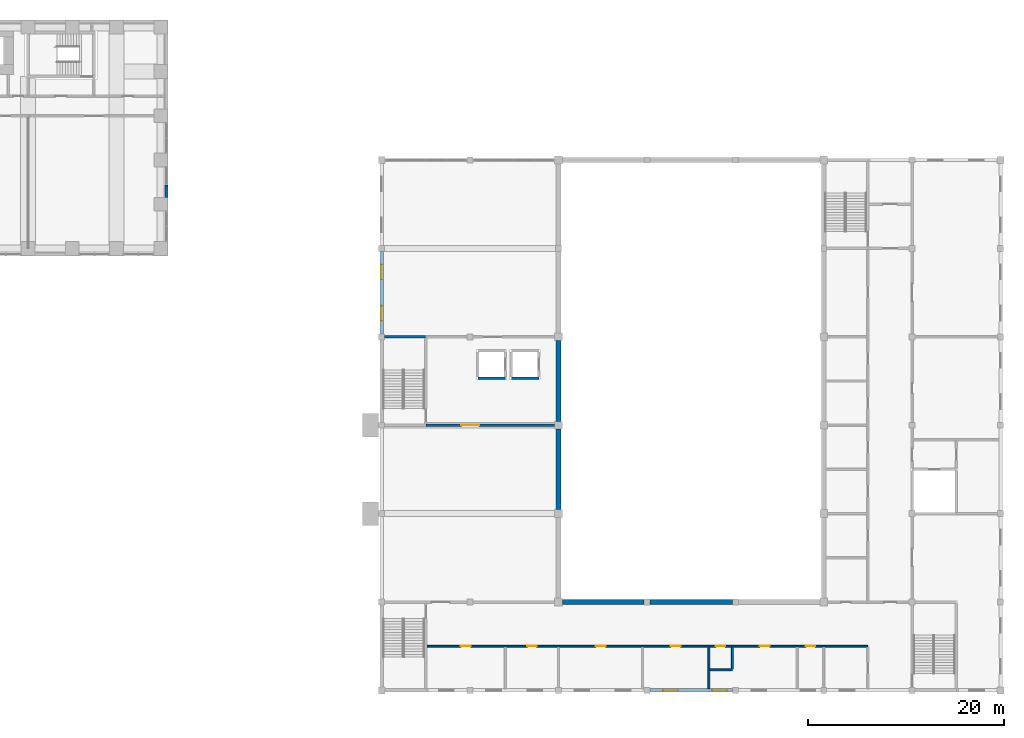
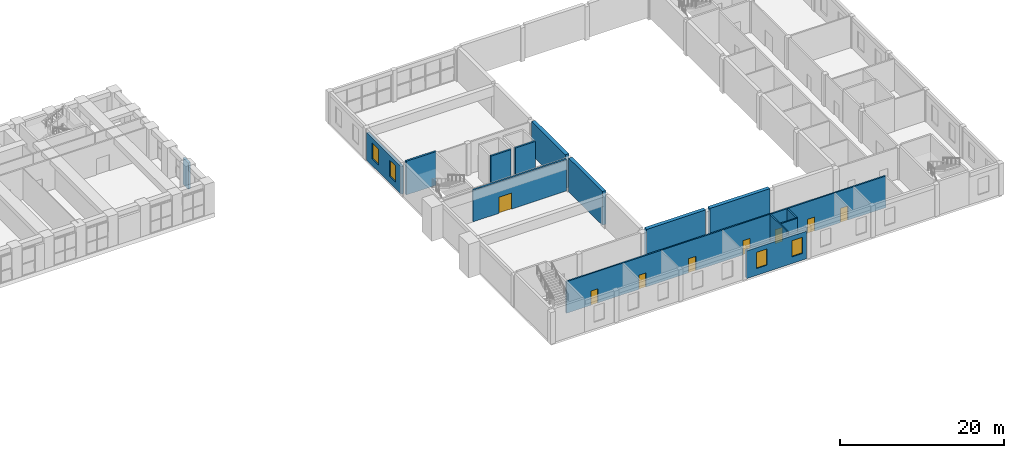
# One storey, part 19 of 30: 15 walls, 8 doors, 4 windows, 12 openings.
"""IFC4 building model written with IfcOpenShell, lengths in metres."""

import ifcopenshell
import ifcopenshell.guid

model = None  # the IFC model being written
_history = None  # IfcOwnerHistory: only IFC2X3 demands one
_inside = {}  # id of a spatial element -> (the spatial element, [elements in it])
_under = {}  # id of a project, library or spatial element -> (it, [spatial elements below it])
_declared = {}  # id of a project -> (the project, [libraries it declares])
_typed = {}  # id of a type object -> (the type object, [elements of that type])
_made_of = {}  # id of a material, layer set ... -> (it, [elements and type objects made of it])


def new_model(schema):
    """Start an empty IFC model of exactly this schema.

    Asked for "IFC4X3", IfcOpenShell would pick the latest addendum, in which some entities
    have other attributes; the version numbers below select the first issue.
    IFC2X3 requires an IfcOwnerHistory on every rooted entity: one is made here for all.
    """
    global model, _history
    if schema == "IFC4X3":
        model = ifcopenshell.file(schema_version=(4, 3, 0, 0))
    else:
        model = ifcopenshell.file(schema=schema)
    _inside.clear()
    _under.clear()
    _declared.clear()
    _typed.clear()
    _made_of.clear()
    _history = None
    if model.schema == "IFC2X3":
        org = make("IfcOrganization", Name="unknown")
        user = make(
            "IfcPersonAndOrganization",
            ThePerson=make("IfcPerson", FamilyName="unknown"),
            TheOrganization=org,
        )
        app = make(
            "IfcApplication",
            ApplicationDeveloper=org,
            Version="unknown",
            ApplicationFullName="unknown",
            ApplicationIdentifier="unknown",
        )
        _history = make(
            "IfcOwnerHistory",
            OwningUser=user,
            OwningApplication=app,
            ChangeAction="ADDED",
            CreationDate=0,
        )
    return model


def make(cls, **values):
    """One entity of the class cls with the attributes given. An attribute that is None is left unset."""
    return model.create_entity(
        cls, **{name: value for name, value in values.items() if value is not None}
    )


def rooted(cls, **values):
    """An entity with a GlobalId (a new one), such as an element, a storey or a relation."""
    return make(cls, GlobalId=ifcopenshell.guid.new(), OwnerHistory=_history, **values)


def si_unit(unit_type, name, prefix=None):
    """IfcSIUnit, for example si_unit("LENGTHUNIT", "METRE", prefix="MILLI")."""
    return make("IfcSIUnit", UnitType=unit_type, Prefix=prefix, Name=name)


def assignment(units):
    """IfcUnitAssignment: the units of a project."""
    return None if units is None else make("IfcUnitAssignment", Units=units)


def point(xyz):
    """IfcCartesianPoint."""
    return None if xyz is None else make("IfcCartesianPoint", Coordinates=xyz)


def direction(xyz):
    """IfcDirection."""
    return None if xyz is None else make("IfcDirection", DirectionRatios=xyz)


def frame(location, z_axis=None, x_axis=None):
    """IfcAxis2Placement3D, a coordinate frame: its origin and axes. An axis left out is left unset."""
    return make(
        "IfcAxis2Placement3D",
        Location=point(location),
        Axis=direction(z_axis),
        RefDirection=direction(x_axis),
    )


def frame_2d(location, x_axis=None):
    """IfcAxis2Placement2D, a coordinate frame in the plane: its origin and x axis."""
    return make(
        "IfcAxis2Placement2D", Location=point(location), RefDirection=direction(x_axis)
    )


def origin():
    """The frame at (0, 0, 0) with its axes left unset."""
    return frame((0.0, 0.0, 0.0))


def place(relative_to, where):
    """IfcLocalPlacement: puts the frame where relative to a parent placement (None: the world)."""
    return make(
        "IfcLocalPlacement", PlacementRelTo=relative_to, RelativePlacement=where
    )


def context(
    kind, dimensions, precision=None, world=None, true_north=None, identifier=None
):
    """IfcGeometricRepresentationContext, for example the 3D "Model" context."""
    return make(
        "IfcGeometricRepresentationContext",
        ContextIdentifier=identifier,
        ContextType=kind,
        CoordinateSpaceDimension=dimensions,
        Precision=precision,
        WorldCoordinateSystem=world,
        TrueNorth=true_north,
    )


def subcontext(parent, identifier, kind, view, scale=None):
    """IfcGeometricRepresentationSubContext, for example "Body" below "Model"."""
    return make(
        "IfcGeometricRepresentationSubContext",
        ContextIdentifier=identifier,
        ContextType=kind,
        ParentContext=parent,
        TargetScale=scale,
        TargetView=view,
    )


def project(units=None, contexts=None):
    """IfcProject with its units and contexts."""
    return rooted(
        "IfcProject",
        Name="project",
        RepresentationContexts=contexts,
        UnitsInContext=assignment(units),
    )


def spatial(cls, under=None, at=None, **own):
    """A site, building, storey or space (cls), placed at a placement, below another one or the project."""
    s = rooted(cls, ObjectPlacement=at, **own)
    if under is not None:
        _under.setdefault(under.id(), (under, []))[1].append(s)
    return s


def profile(cls, at=None, kind="AREA", **sizes):
    """A parametric profile (cls). Its sizes go by their IFC names, for example OverallWidth=200.0."""
    return make(cls, ProfileType=kind, Position=at, **sizes)


def rectangle(**sizes):
    """IfcRectangleProfileDef."""
    return profile("IfcRectangleProfileDef", **sizes)


def extrude(swept, where, along, depth):
    """IfcExtrudedAreaSolid: the profile swept, set in the frame where, extruded along a direction by depth."""
    return make(
        "IfcExtrudedAreaSolid",
        SweptArea=swept,
        Position=where,
        ExtrudedDirection=direction(along),
        Depth=depth,
    )


def shape(context_of_items, identifier, shape_type, items):
    """IfcShapeRepresentation: the items that make up one representation, for example the "Body"."""
    return make(
        "IfcShapeRepresentation",
        ContextOfItems=context_of_items,
        RepresentationIdentifier=identifier,
        RepresentationType=shape_type,
        Items=items,
    )


def material(Name=None, Category=None):
    """IfcMaterial."""
    return make("IfcMaterial", Name=Name, Category=Category)


def layer(
    of_material, thickness, ventilated=None, Name=None, Category=None, Priority=None
):
    """IfcMaterialLayer: one layer of a wall or slab, of a material (None: an air gap)."""
    return make(
        "IfcMaterialLayer",
        Material=of_material,
        LayerThickness=thickness,
        IsVentilated=ventilated,
        Name=Name,
        Category=Category,
        Priority=Priority,
    )


def layer_set(layers, Name=None):
    """IfcMaterialLayerSet."""
    return make("IfcMaterialLayerSet", MaterialLayers=layers, LayerSetName=Name)


def made_of(thing, what):
    """Note that an element or type object is made of a material, layer set ...; save() writes the relation."""
    if what is not None:
        _made_of.setdefault(what.id(), (what, []))[1].append(thing)
    return thing


def type_object(cls, material=None, **own):
    """A type object (cls), such as IfcWallType, which elements share."""
    return made_of(rooted(cls, **own), material)


def element(
    cls,
    number,
    at=None,
    inside=None,
    cuts=None,
    type_object=None,
    material=None,
    context=None,
    identifier="Body",
    shape_type=None,
    held_by="IfcProductDefinitionShape",
    body=None,
    shapes=None,
    **own,
):
    """One element of the class cls, such as IfcWall. Its Tag is "e" and its number.

    at: its placement. inside: the storey or other place that contains it. cuts: it is an
    opening in that element (IfcRelVoidsElement). A single representation is given by context,
    identifier, shape_type and body (its items); several are given by shapes. held_by: the class
    of the entity that holds the representations. save() writes the other relations.
    """
    e = rooted(cls, Tag="e%d" % number, ObjectPlacement=at, **own)
    if body is not None:
        shapes = [shape(context, identifier, shape_type, body)]
    if shapes is not None:
        e.Representation = make(held_by, Representations=shapes)
    if inside is not None:
        _inside.setdefault(inside.id(), (inside, []))[1].append(e)
    if cuts is not None:
        rooted(
            "IfcRelVoidsElement", RelatingBuildingElement=cuts, RelatedOpeningElement=e
        )
    if type_object is not None:
        _typed.setdefault(type_object.id(), (type_object, []))[1].append(e)
    return made_of(e, material)


def fill(opening, filler):
    """IfcRelFillsElement: the door or window that sits in an opening."""
    return rooted(
        "IfcRelFillsElement",
        RelatingOpeningElement=opening,
        RelatedBuildingElement=filler,
    )


def aggregate(whole, parts):
    """IfcRelAggregates: a whole, such as a stair, and the parts it consists of."""
    return rooted("IfcRelAggregates", RelatingObject=whole, RelatedObjects=parts)


def save(model, path):
    """Write the relations noted so far, then the file.

    IfcRelAggregates (storeys below a building ...), IfcRelContainedInSpatialStructure (elements
    in a storey), IfcRelDefinesByType, IfcRelAssociatesMaterial and IfcRelDeclares: one each for
    every whole, place, type object, material and project.
    """
    for whole, parts in _under.values():
        aggregate(whole, parts)
    for where, things in _inside.values():
        rooted(
            "IfcRelContainedInSpatialStructure",
            RelatedElements=things,
            RelatingStructure=where,
        )
    for kind, things in _typed.values():
        rooted("IfcRelDefinesByType", RelatedObjects=things, RelatingType=kind)
    for what, things in _made_of.values():
        rooted("IfcRelAssociatesMaterial", RelatedObjects=things, RelatingMaterial=what)
    for by, libraries in _declared.values():
        rooted("IfcRelDeclares", RelatingContext=by, RelatedDefinitions=libraries)
    model.write(path)


model = new_model("IFC4")

# Units and contexts
model_context = context("Model", 3, precision=1e-05, world=origin(), true_north=direction((0.0, 1.0)))
body_context = subcontext(model_context, "Body", "Model", "MODEL_VIEW")
ifc_project = project(units=[si_unit("LENGTHUNIT", "METRE"), si_unit("AREAUNIT", "SQUARE_METRE"), si_unit("VOLUMEUNIT", "CUBIC_METRE"), si_unit("PLANEANGLEUNIT", "RADIAN"), si_unit("MASSUNIT", "GRAM", prefix="KILO")], contexts=[model_context])

# Site, building, storey
site_placement = place(None, origin())
site = spatial("IfcSite", under=ifc_project, at=site_placement, CompositionType="ELEMENT")
building_placement = place(site_placement, origin())
building = spatial("IfcBuilding", under=site, at=building_placement, Name="Firuza Court", CompositionType="ELEMENT")
storey_placement = place(building_placement, frame((0.0, 0.0, 9.0)))
storey = spatial("IfcBuildingStorey", under=building, at=storey_placement, Name="L01", CompositionType="ELEMENT", Elevation=9.0)

# Wall
ifc_material_1 = material(Name="Blockwork", Category="masonry")
ifc_layer_1 = layer(ifc_material_1, 0.199951171875)
ifc_layer_set_1 = layer_set([ifc_layer_1], Name="Blockwork")
wall_type_1 = type_object("IfcWallType", Name="HALL PARTITION 200", PredefinedType="STANDARD", material=ifc_layer_set_1)
wall_1_placement = place(storey_placement, frame((123.39990234375, -6.89990234375, 0.0), z_axis=(0.0, 0.0, 1.0), x_axis=(1.0, 0.0, 0.0)))
element("IfcWall", 1, at=wall_1_placement, inside=storey, type_object=wall_type_1, Name="Wall L01.10", PredefinedType="STANDARD", context=body_context, shape_type="SweptSolid", body=[
    extrude(rectangle(XDim=2.300048828125, YDim=0.199951171875, at=frame_2d((1.14990234375, 0.0))), origin(), (0.0, 0.0, 1.0), 4.699951171875),
])

# Wall, openings, doors
wall_2_placement = place(storey_placement, frame((94.625, -4.5, 0.0), z_axis=(0.0, 0.0, 1.0), x_axis=(1.0, 0.0, 0.0)))
wall_2 = element("IfcWall", 2, at=wall_2_placement, inside=storey, type_object=wall_type_1, Name="Wall L01.11", PredefinedType="STANDARD", context=body_context, shape_type="SweptSolid", body=[
    extrude(rectangle(XDim=44.875, YDim=0.199951171875, at=frame_2d((22.4375, 0.0))), origin(), (0.0, 0.0, 1.0), 4.699951171875),
])
opening_1_placement = place(wall_2_placement, frame((3.419921875, 0.0, 0.0)))
opening_1 = element("IfcOpeningElement", 3, at=opening_1_placement, cuts=wall_2, Name="Opening H066", PredefinedType="OPENING", context=body_context, shape_type="SweptSolid", body=[
    extrude(rectangle(XDim=1.0, YDim=2.10009765625, at=frame_2d((0.5, 1.050048828125))), frame((0.0, 0.11181640625, 0.0), z_axis=(0.0, -1.0, 0.0), x_axis=(1.0, 0.0, 0.0)), (0.0, 0.0, 1.0), 0.223876953125),
])
opening_2_placement = place(wall_2_placement, frame((10.169921875, 0.0, 0.0)))
opening_2 = element("IfcOpeningElement", 4, at=opening_2_placement, cuts=wall_2, Name="Opening H067", PredefinedType="OPENING", context=body_context, shape_type="SweptSolid", body=[
    extrude(rectangle(XDim=1.0, YDim=2.10009765625, at=frame_2d((0.5, 1.050048828125))), frame((0.0, 0.11181640625, 0.0), z_axis=(0.0, -1.0, 0.0), x_axis=(1.0, 0.0, 0.0)), (0.0, 0.0, 1.0), 0.223876953125),
])
opening_3_placement = place(wall_2_placement, frame((17.169921875, 0.0, 0.0)))
opening_3 = element("IfcOpeningElement", 5, at=opening_3_placement, cuts=wall_2, Name="Opening H070", PredefinedType="OPENING", context=body_context, shape_type="SweptSolid", body=[
    extrude(rectangle(XDim=1.0, YDim=2.10009765625, at=frame_2d((0.5, 1.050048828125))), frame((0.0, 0.11181640625, 0.0), z_axis=(0.0, -1.0, 0.0), x_axis=(1.0, 0.0, 0.0)), (0.0, 0.0, 1.0), 0.223876953125),
])
opening_4_placement = place(wall_2_placement, frame((24.820068359375, 0.0, 0.0)))
opening_4 = element("IfcOpeningElement", 6, at=opening_4_placement, cuts=wall_2, Name="Opening H071", PredefinedType="OPENING", context=body_context, shape_type="SweptSolid", body=[
    extrude(rectangle(XDim=1.0, YDim=2.10009765625, at=frame_2d((0.5, 1.050048828125))), frame((0.0, 0.11181640625, 0.0), z_axis=(0.0, -1.0, 0.0), x_axis=(1.0, 0.0, 0.0)), (0.0, 0.0, 1.0), 0.223876953125),
])
opening_5_placement = place(wall_2_placement, frame((29.3701171875, 0.0, 0.0)))
opening_5 = element("IfcOpeningElement", 7, at=opening_5_placement, cuts=wall_2, Name="Opening H072", PredefinedType="OPENING", context=body_context, shape_type="SweptSolid", body=[
    extrude(rectangle(XDim=1.0, YDim=2.10009765625, at=frame_2d((0.5, 1.050048828125))), frame((0.0, 0.11181640625, 0.0), z_axis=(0.0, -1.0, 0.0), x_axis=(1.0, 0.0, 0.0)), (0.0, 0.0, 1.0), 0.223876953125),
])
opening_6_placement = place(wall_2_placement, frame((33.8701171875, 0.0, 0.0)))
opening_6 = element("IfcOpeningElement", 8, at=opening_6_placement, cuts=wall_2, Name="Opening H073", PredefinedType="OPENING", context=body_context, shape_type="SweptSolid", body=[
    extrude(rectangle(XDim=1.0, YDim=2.10009765625, at=frame_2d((0.5, 1.050048828125))), frame((0.0, 0.11181640625, 0.0), z_axis=(0.0, -1.0, 0.0), x_axis=(1.0, 0.0, 0.0)), (0.0, 0.0, 1.0), 0.223876953125),
])
opening_7_placement = place(wall_2_placement, frame((38.52001953125, 0.0, 0.0)))
opening_7 = element("IfcOpeningElement", 9, at=opening_7_placement, cuts=wall_2, Name="Opening H074", PredefinedType="OPENING", context=body_context, shape_type="SweptSolid", body=[
    extrude(rectangle(XDim=1.0, YDim=2.10009765625, at=frame_2d((0.5, 1.050048828125))), frame((0.0, 0.11181640625, 0.0), z_axis=(0.0, -1.0, 0.0), x_axis=(1.0, 0.0, 0.0)), (0.0, 0.0, 1.0), 0.223876953125),
])
ifc_material_2 = material(Name="Timber", Category="wood")
door_type_1 = type_object("IfcDoorType", Name="HALL DOOR 1000X2100", OperationType="SINGLE_SWING_LEFT", PredefinedType="DOOR", material=ifc_material_2)
door_1_placement = place(opening_1_placement, origin())
door_1 = element("IfcDoor", 10, at=door_1_placement, inside=storey, type_object=door_type_1, Name="Door Chamber hall bar", OperationType="SINGLE_SWING_LEFT", OverallHeight=2.10009765625, OverallWidth=1.0, PredefinedType="DOOR", context=body_context, shape_type="SweptSolid", body=[
    extrude(rectangle(XDim=1.0, YDim=2.10009765625, at=frame_2d((0.5, 1.050048828125))), frame((0.0, 0.02490234375, 0.0), z_axis=(0.0, -1.0, 0.0), x_axis=(1.0, 0.0, 0.0)), (0.0, 0.0, 1.0), 0.050048828125),
])
fill(opening_1, door_1)
door_2_placement = place(opening_2_placement, frame((1.0, 0.0, 0.0), z_axis=(0.0, 0.0, 1.0), x_axis=(-1.0, 0.0, 0.0)))
door_2 = element("IfcDoor", 11, at=door_2_placement, inside=storey, type_object=door_type_1, Name="Door Cloakroom", OperationType="SINGLE_SWING_RIGHT", OverallHeight=2.10009765625, OverallWidth=1.0, PredefinedType="DOOR", context=body_context, shape_type="SweptSolid", body=[
    extrude(rectangle(XDim=1.0, YDim=2.10009765625, at=frame_2d((0.5, 1.050048828125))), frame((0.0, 0.02490234375, 0.0), z_axis=(0.0, -1.0, 0.0), x_axis=(1.0, 0.0, 0.0)), (0.0, 0.0, 1.0), 0.050048828125),
])
fill(opening_2, door_2)
door_3_placement = place(opening_3_placement, frame((1.0, 0.0, 0.0), z_axis=(0.0, 0.0, 1.0), x_axis=(-1.0, 0.0, 0.0)))
door_3 = element("IfcDoor", 12, at=door_3_placement, inside=storey, type_object=door_type_1, Name="Door Women's WC", OperationType="SINGLE_SWING_RIGHT", OverallHeight=2.10009765625, OverallWidth=1.0, PredefinedType="DOOR", context=body_context, shape_type="SweptSolid", body=[
    extrude(rectangle(XDim=1.0, YDim=2.10009765625, at=frame_2d((0.5, 1.050048828125))), frame((0.0, 0.02490234375, 0.0), z_axis=(0.0, -1.0, 0.0), x_axis=(1.0, 0.0, 0.0)), (0.0, 0.0, 1.0), 0.050048828125),
])
fill(opening_3, door_3)
door_4_placement = place(opening_4_placement, frame((1.0, 0.0, 0.0), z_axis=(0.0, 0.0, 1.0), x_axis=(-1.0, 0.0, 0.0)))
door_4 = element("IfcDoor", 13, at=door_4_placement, inside=storey, type_object=door_type_1, Name="Door Men's WC", OperationType="SINGLE_SWING_RIGHT", OverallHeight=2.10009765625, OverallWidth=1.0, PredefinedType="DOOR", context=body_context, shape_type="SweptSolid", body=[
    extrude(rectangle(XDim=1.0, YDim=2.10009765625, at=frame_2d((0.5, 1.050048828125))), frame((0.0, 0.02490234375, 0.0), z_axis=(0.0, -1.0, 0.0), x_axis=(1.0, 0.0, 0.0)), (0.0, 0.0, 1.0), 0.050048828125),
])
fill(opening_4, door_4)
door_5_placement = place(opening_5_placement, frame((1.0, 0.0, 0.0), z_axis=(0.0, 0.0, 1.0), x_axis=(-1.0, 0.0, 0.0)))
door_5 = element("IfcDoor", 14, at=door_5_placement, inside=storey, type_object=door_type_1, Name="Door Accessible WC", OperationType="SINGLE_SWING_RIGHT", OverallHeight=2.10009765625, OverallWidth=1.0, PredefinedType="DOOR", context=body_context, shape_type="SweptSolid", body=[
    extrude(rectangle(XDim=1.0, YDim=2.10009765625, at=frame_2d((0.5, 1.050048828125))), frame((0.0, 0.02490234375, 0.0), z_axis=(0.0, -1.0, 0.0), x_axis=(1.0, 0.0, 0.0)), (0.0, 0.0, 1.0), 0.050048828125),
])
fill(opening_5, door_5)
door_6_placement = place(opening_6_placement, frame((1.0, 0.0, 0.0), z_axis=(0.0, 0.0, 1.0), x_axis=(-1.0, 0.0, 0.0)))
door_6 = element("IfcDoor", 15, at=door_6_placement, inside=storey, type_object=door_type_1, Name="Door Parents' room", OperationType="SINGLE_SWING_RIGHT", OverallHeight=2.10009765625, OverallWidth=1.0, PredefinedType="DOOR", context=body_context, shape_type="SweptSolid", body=[
    extrude(rectangle(XDim=1.0, YDim=2.10009765625, at=frame_2d((0.5, 1.050048828125))), frame((0.0, 0.02490234375, 0.0), z_axis=(0.0, -1.0, 0.0), x_axis=(1.0, 0.0, 0.0)), (0.0, 0.0, 1.0), 0.050048828125),
])
fill(opening_6, door_6)
door_7_placement = place(opening_7_placement, frame((1.0, 0.0, 0.0), z_axis=(0.0, 0.0, 1.0), x_axis=(-1.0, 0.0, 0.0)))
door_7 = element("IfcDoor", 16, at=door_7_placement, inside=storey, type_object=door_type_1, Name="Door Cleaner's store", OperationType="SINGLE_SWING_RIGHT", OverallHeight=2.10009765625, OverallWidth=1.0, PredefinedType="DOOR", context=body_context, shape_type="SweptSolid", body=[
    extrude(rectangle(XDim=1.0, YDim=2.10009765625, at=frame_2d((0.5, 1.050048828125))), frame((0.0, 0.02490234375, 0.0), z_axis=(0.0, -1.0, 0.0), x_axis=(1.0, 0.0, 0.0)), (0.0, 0.0, 1.0), 0.050048828125),
])
fill(opening_7, door_7)

# Walls
wall_3_placement = place(storey_placement, frame((123.300048828125, -8.824951171875, 0.0), z_axis=(0.0, 0.0, 1.0), x_axis=(0.0, 1.0, 0.0)))
element("IfcWall", 17, at=wall_3_placement, inside=storey, type_object=wall_type_1, Name="Wall L01.69", PredefinedType="STANDARD", context=body_context, shape_type="SweptSolid", body=[
    extrude(rectangle(XDim=4.224853515625, YDim=0.199951171875, at=frame_2d((2.1123046875, 0.0))), origin(), (0.0, 0.0, 1.0), 4.699951171875),
])
wall_4_placement = place(storey_placement, frame((125.699951171875, -6.800048828125, 0.0), z_axis=(0.0, 0.0, 1.0), x_axis=(0.0, 1.0, 0.0)))
element("IfcWall", 18, at=wall_4_placement, inside=storey, type_object=wall_type_1, Name="Wall L01.70", PredefinedType="STANDARD", context=body_context, shape_type="SweptSolid", body=[
    extrude(rectangle(XDim=2.199951171875, YDim=0.199951171875, at=frame_2d((1.10009765625, 0.0))), origin(), (0.0, 0.0, 1.0), 4.699951171875),
])

# Wall, opening, door
ifc_material_3 = material(Name="Concrete C40/50", Category="concrete")
ifc_layer_2 = layer(ifc_material_3, 0.25)
ifc_layer_set_2 = layer_set([ifc_layer_2], Name="Concrete C40/50")
wall_type_2 = type_object("IfcWallType", Name="HALL RC WALL 250", PredefinedType="STANDARD", material=ifc_layer_set_2)
wall_5_placement = place(storey_placement, frame((94.5, 18.0, 0.0), z_axis=(0.0, 0.0, 1.0), x_axis=(1.0, 0.0, 0.0)))
wall_5 = element("IfcWall", 19, at=wall_5_placement, inside=storey, type_object=wall_type_2, Name="Wall L01.28", PredefinedType="STANDARD", context=body_context, shape_type="SweptSolid", body=[
    extrude(rectangle(XDim=13.10009765625, YDim=0.25, at=frame_2d((6.550048828125, 0.0))), origin(), (0.0, 0.0, 1.0), 4.699951171875),
])
opening_8_placement = place(wall_5_placement, frame((3.6201171875, 0.0, 0.0)))
opening_8 = element("IfcOpeningElement", 20, at=opening_8_placement, cuts=wall_5, Name="Opening H061", PredefinedType="OPENING", context=body_context, shape_type="SweptSolid", body=[
    extrude(rectangle(XDim=1.800048828125, YDim=2.39990234375, at=frame_2d((0.89990234375, 1.199951171875))), frame((0.0, 0.136962890625, 0.0), z_axis=(0.0, -1.0, 0.0), x_axis=(1.0, 0.0, 0.0)), (0.0, 0.0, 1.0), 0.27392578125),
])
ifc_material_4 = material(Name="Timber", Category="wood")
door_type_2 = type_object("IfcDoorType", Name="HALL DOOR 1800X2400", OperationType="DOUBLE_DOOR_SINGLE_SWING", PredefinedType="DOOR", material=ifc_material_4)
door_8_placement = place(opening_8_placement, origin())
door_8 = element("IfcDoor", 21, at=door_8_placement, inside=storey, type_object=door_type_2, Name="Chamber hall door north", OperationType="DOUBLE_DOOR_SINGLE_SWING", OverallHeight=2.39990234375, OverallWidth=1.800048828125, PredefinedType="DOOR", context=body_context, shape_type="SweptSolid", body=[
    extrude(rectangle(XDim=1.800048828125, YDim=2.39990234375, at=frame_2d((0.89990234375, 1.199951171875))), frame((0.0, 0.02490234375, 0.0), z_axis=(0.0, -1.0, 0.0), x_axis=(1.0, 0.0, 0.0)), (0.0, 0.0, 1.0), 0.050048828125),
])
fill(opening_8, door_8)

# Walls
for number, where, z_axis, x_axis, name in (
    (22, (99.800048828125, 22.800048828125, 0.0), (0.0, 0.0, 1.0), (1.0, 0.0, 0.0), "Wall L01.31"),
    (23, (103.199951171875, 22.800048828125, 0.0), (0.0, 0.0, 1.0), (1.0, 0.0, 0.0), "Wall L01.32"),
):
    element("IfcWall", number, at=place(storey_placement, frame(where, z_axis=z_axis, x_axis=x_axis)), inside=storey, type_object=wall_type_2, Name=name, PredefinedType="STANDARD", context=body_context, shape_type="SweptSolid", body=[
        extrude(rectangle(XDim=2.800048828125, YDim=0.25, at=frame_2d((1.39990234375, 0.0))), origin(), (0.0, 0.0, 1.0), 5.0),
    ])
wall_6_placement = place(storey_placement, frame((90.300048828125, 27.0, 0.0), z_axis=(0.0, 0.0, 1.0), x_axis=(1.0, 0.0, 0.0)))
element("IfcWall", 24, at=wall_6_placement, inside=storey, type_object=wall_type_2, Name="Wall L01.35", PredefinedType="STANDARD", context=body_context, shape_type="SweptSolid", body=[
    extrude(rectangle(XDim=4.199951171875, YDim=0.25, at=frame_2d((2.10009765625, 0.0))), origin(), (0.0, 0.0, 1.0), 5.0),
])
ifc_layer_3 = layer(ifc_material_3, 0.5)
ifc_layer_set_3 = layer_set([ifc_layer_3], Name="Concrete C40/50")
wall_type_3 = type_object("IfcWallType", Name="HALL RC WALL 500", PredefinedType="STANDARD", material=ifc_layer_set_3)
wall_7_placement = place(storey_placement, frame((108.39990234375, 0.0, 0.0), z_axis=(0.0, 0.0, 1.0), x_axis=(1.0, 0.0, 0.0)))
element("IfcWall", 25, at=wall_7_placement, inside=storey, type_object=wall_type_3, Name="Wall L01.15", PredefinedType="STANDARD", context=body_context, shape_type="SweptSolid", body=[
    extrude(rectangle(XDim=8.300048828125, YDim=0.5, at=frame_2d((4.14990234375, 0.0))), origin(), (0.0, 0.0, 1.0), 5.0),
])
wall_8_placement = place(storey_placement, frame((117.300048828125, 0.0, 0.0), z_axis=(0.0, 0.0, 1.0), x_axis=(1.0, 0.0, 0.0)))
element("IfcWall", 26, at=wall_8_placement, inside=storey, type_object=wall_type_3, Name="Wall L01.16", PredefinedType="STANDARD", context=body_context, shape_type="SweptSolid", body=[
    extrude(rectangle(XDim=8.39990234375, YDim=0.5, at=frame_2d((4.199951171875, 0.0))), origin(), (0.0, 0.0, 1.0), 5.0),
])
for number, where, z_axis, x_axis, name in (
    (27, (108.0, 9.39990234375, 0.0), (0.0, 0.0, 1.0), (0.0, 1.0, 0.0), "Wall L01.64"),
    (28, (108.0, 18.39990234375, 0.0), (0.0, 0.0, 1.0), (0.0, 1.0, 0.0), "Wall L01.65"),
):
    element("IfcWall", number, at=place(storey_placement, frame(where, z_axis=z_axis, x_axis=x_axis)), inside=storey, type_object=wall_type_3, Name=name, PredefinedType="STANDARD", context=body_context, shape_type="SweptSolid", body=[
        extrude(rectangle(XDim=8.2001953125, YDim=0.5, at=frame_2d((4.10009765625, 0.0))), origin(), (0.0, 0.0, 1.0), 5.0),
    ])

# Wall, openings, windows
ifc_material_5 = material(Name="Concrete C30/37", Category="concrete")
ifc_layer_4 = layer(ifc_material_5, 0.300048828125)
ifc_material_6 = material(Name="Ceramic tile", Category="ceramic")
ifc_layer_5 = layer(ifc_material_6, 0.050048828125)
ifc_layer_set_4 = layer_set([ifc_layer_4, ifc_layer_5], Name="Concrete C30/37")
wall_type_4 = type_object("IfcWallType", Name="HALL TILE CLAD WALL 350", PredefinedType="STANDARD", material=ifc_layer_set_4)
wall_9_placement = place(storey_placement, frame((117.300048828125, -9.0, 0.0), z_axis=(0.0, 0.0, 1.0), x_axis=(1.0, 0.0, 0.0)))
wall_9 = element("IfcWall", 29, at=wall_9_placement, inside=storey, type_object=wall_type_4, Name="Wall L01.5", PredefinedType="STANDARD", context=body_context, shape_type="SweptSolid", body=[
    extrude(rectangle(XDim=8.39990234375, YDim=0.35009765625, at=frame_2d((4.199951171875, 0.0))), origin(), (0.0, 0.0, 1.0), 4.10009765625),
])
opening_9_placement = place(wall_9_placement, frame((1.35009765625, 0.0, 1.0)))
opening_9 = element("IfcOpeningElement", 30, at=opening_9_placement, cuts=wall_9, Name="Opening HW-1", PredefinedType="OPENING", context=body_context, shape_type="SweptSolid", body=[
    extrude(rectangle(XDim=1.5, YDim=2.39990234375, at=frame_2d((0.75, 1.199951171875))), frame((0.0, 0.18701171875, 0.0), z_axis=(0.0, -1.0, 0.0), x_axis=(1.0, 0.0, 0.0)), (0.0, 0.0, 1.0), 0.3740234375),
])
opening_10_placement = place(wall_9_placement, frame((6.35009765625, 0.0, 1.0)))
opening_10 = element("IfcOpeningElement", 31, at=opening_10_placement, cuts=wall_9, Name="Opening HW-1", PredefinedType="OPENING", context=body_context, shape_type="SweptSolid", body=[
    extrude(rectangle(XDim=1.5, YDim=2.39990234375, at=frame_2d((0.75, 1.199951171875))), frame((0.0, 0.18701171875, 0.0), z_axis=(0.0, -1.0, 0.0), x_axis=(1.0, 0.0, 0.0)), (0.0, 0.0, 1.0), 0.3740234375),
])
ifc_material_7 = material(Name="Aluminium", Category="aluminium")
window_type = type_object("IfcWindowType", Name="HALL WINDOW 1500X2400", PartitioningType="SINGLE_PANEL", PredefinedType="WINDOW", material=ifc_material_7)
window_1_placement = place(opening_9_placement, origin())
window_1 = element("IfcWindow", 32, at=window_1_placement, inside=storey, type_object=window_type, Name="Window L01.23", OverallHeight=2.39990234375, OverallWidth=1.5, PartitioningType="SINGLE_PANEL", PredefinedType="WINDOW", context=body_context, shape_type="SweptSolid", body=[
    extrude(rectangle(XDim=1.5, YDim=2.39990234375, at=frame_2d((0.75, 1.199951171875))), frame((0.0, 0.030029296875, 0.0), z_axis=(0.0, -1.0, 0.0), x_axis=(1.0, 0.0, 0.0)), (0.0, 0.0, 1.0), 0.06005859375),
])
fill(opening_9, window_1)
window_2_placement = place(opening_10_placement, origin())
window_2 = element("IfcWindow", 33, at=window_2_placement, inside=storey, type_object=window_type, Name="Window L01.24", OverallHeight=2.39990234375, OverallWidth=1.5, PartitioningType="SINGLE_PANEL", PredefinedType="WINDOW", context=body_context, shape_type="SweptSolid", body=[
    extrude(rectangle(XDim=1.5, YDim=2.39990234375, at=frame_2d((0.75, 1.199951171875))), frame((0.0, 0.030029296875, 0.0), z_axis=(0.0, -1.0, 0.0), x_axis=(1.0, 0.0, 0.0)), (0.0, 0.0, 1.0), 0.06005859375),
])
fill(opening_10, window_2)

wall_10_placement = place(storey_placement, frame((90.0, 27.300048828125, 0.0), z_axis=(0.0, 0.0, 1.0), x_axis=(0.0, 1.0, 0.0)))
wall_10 = element("IfcWall", 34, at=wall_10_placement, inside=storey, type_object=wall_type_4, Name="Wall L01.53", PredefinedType="STANDARD", context=body_context, shape_type="SweptSolid", body=[
    extrude(rectangle(XDim=8.39990234375, YDim=0.35009765625, at=frame_2d((4.199951171875, 0.0))), origin(), (0.0, 0.0, 1.0), 4.10009765625),
])
opening_11_placement = place(wall_10_placement, frame((1.35009765625, 0.0, 1.0)))
opening_11 = element("IfcOpeningElement", 35, at=opening_11_placement, cuts=wall_10, Name="Opening HW-1", PredefinedType="OPENING", context=body_context, shape_type="SweptSolid", body=[
    extrude(rectangle(XDim=1.5, YDim=2.39990234375, at=frame_2d((0.75, 1.199951171875))), frame((0.0, 0.18701171875, 0.0), z_axis=(0.0, -1.0, 0.0), x_axis=(1.0, 0.0, 0.0)), (0.0, 0.0, 1.0), 0.3740234375),
])
opening_12_placement = place(wall_10_placement, frame((5.550048828125, 0.0, 1.0)))
opening_12 = element("IfcOpeningElement", 36, at=opening_12_placement, cuts=wall_10, Name="Opening HW-1", PredefinedType="OPENING", context=body_context, shape_type="SweptSolid", body=[
    extrude(rectangle(XDim=1.5, YDim=2.39990234375, at=frame_2d((0.75, 1.199951171875))), frame((0.0, 0.18701171875, 0.0), z_axis=(0.0, -1.0, 0.0), x_axis=(1.0, 0.0, 0.0)), (0.0, 0.0, 1.0), 0.3740234375),
])
window_3_placement = place(opening_11_placement, origin())
window_3 = element("IfcWindow", 37, at=window_3_placement, inside=storey, type_object=window_type, Name="Window L01.31", OverallHeight=2.39990234375, OverallWidth=1.5, PartitioningType="SINGLE_PANEL", PredefinedType="WINDOW", context=body_context, shape_type="SweptSolid", body=[
    extrude(rectangle(XDim=1.5, YDim=2.39990234375, at=frame_2d((0.75, 1.199951171875))), frame((0.0, 0.030029296875, 0.0), z_axis=(0.0, -1.0, 0.0), x_axis=(1.0, 0.0, 0.0)), (0.0, 0.0, 1.0), 0.06005859375),
])
fill(opening_11, window_3)
window_4_placement = place(opening_12_placement, origin())
window_4 = element("IfcWindow", 38, at=window_4_placement, inside=storey, type_object=window_type, Name="Window L01.32", OverallHeight=2.39990234375, OverallWidth=1.5, PartitioningType="SINGLE_PANEL", PredefinedType="WINDOW", context=body_context, shape_type="SweptSolid", body=[
    extrude(rectangle(XDim=1.5, YDim=2.39990234375, at=frame_2d((0.75, 1.199951171875))), frame((0.0, 0.030029296875, 0.0), z_axis=(0.0, -1.0, 0.0), x_axis=(1.0, 0.0, 0.0)), (0.0, 0.0, 1.0), 0.06005859375),
])
fill(opening_12, window_4)

# Wall
ifc_layer_6 = layer(ifc_material_6, 0.02001953125)
ifc_material_8 = material(Name="Mineral wool insulation", Category="insulation")
ifc_layer_7 = layer(ifc_material_8, 0.1298828125)
ifc_material_9 = material(Name="Concrete C40/50 precast", Category="concrete")
ifc_layer_8 = layer(ifc_material_9, 0.14990234375)
ifc_layer_set_5 = layer_set([ifc_layer_6, ifc_layer_7, ifc_layer_8], Name="Concrete C40/50 precast")
wall_type_5 = type_object("IfcWallType", Name="Precast spandrel wall with turquoise TILE PANEL face 300", PredefinedType="STANDARD", material=ifc_layer_set_5)
wall_11_placement = place(storey_placement, frame((68.10009765625, 41.199951171875, 0.0), z_axis=(0.0, 0.0, 1.0), x_axis=(0.0, 1.0, 0.0)))
element("IfcWall", 39, at=wall_11_placement, inside=storey, type_object=wall_type_5, Name="Facade wall L01 E", PredefinedType="STANDARD", context=body_context, shape_type="SweptSolid", body=[
    extrude(rectangle(XDim=1.275146484375, YDim=0.300048828125, at=frame_2d((0.6376953125, 0.0))), origin(), (0.0, 0.0, 1.0), 3.89990234375),
])

save(model, "model.ifc")
